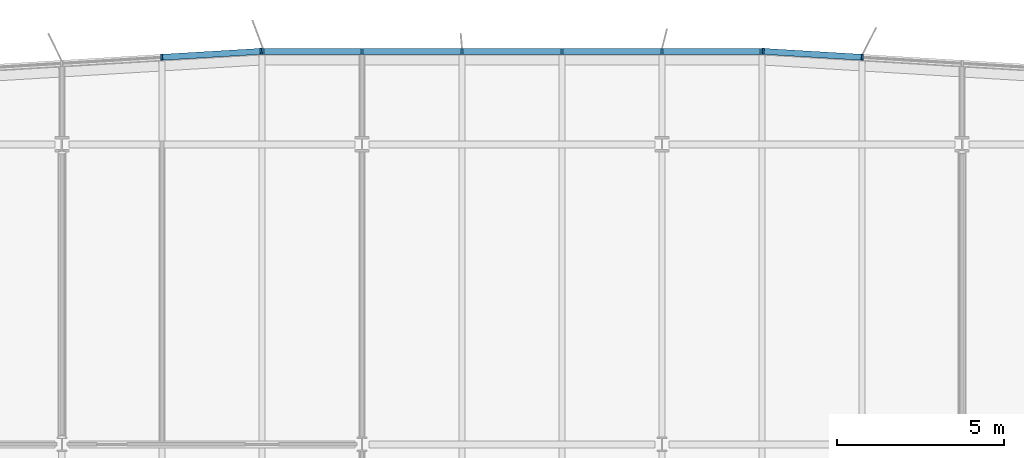
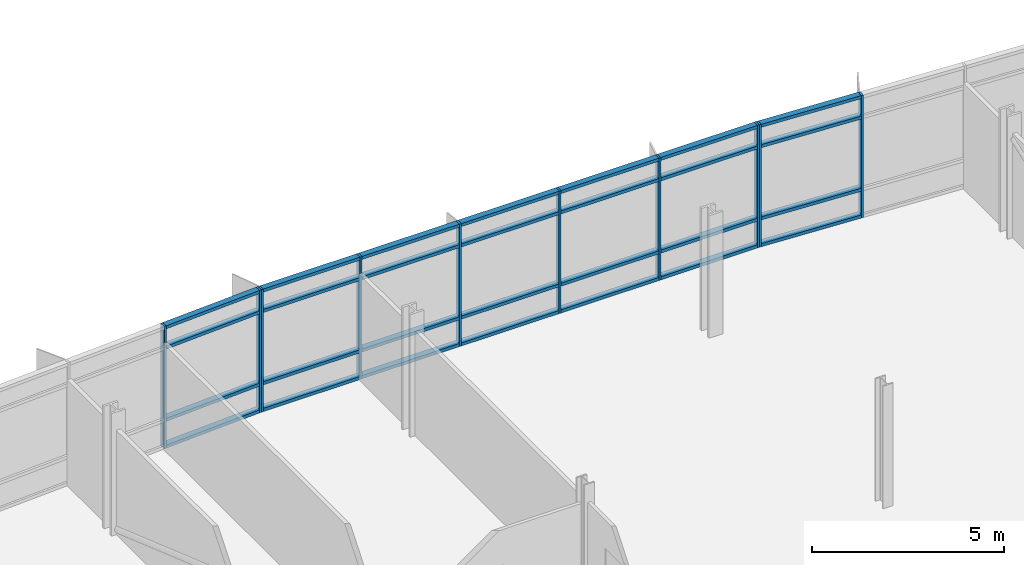
# One storey, part 8 of 20: 38 members, 3 elements without a shape of their own.
"""IFC4 building model written with IfcOpenShell, lengths in metres."""

import ifcopenshell
import ifcopenshell.guid

model = None  # the IFC model being written
_history = None  # IfcOwnerHistory: only IFC2X3 demands one
_inside = {}  # id of a spatial element -> (the spatial element, [elements in it])
_under = {}  # id of a project, library or spatial element -> (it, [spatial elements below it])
_declared = {}  # id of a project -> (the project, [libraries it declares])
_typed = {}  # id of a type object -> (the type object, [elements of that type])
_made_of = {}  # id of a material, layer set ... -> (it, [elements and type objects made of it])


def new_model(schema):
    """Start an empty IFC model of exactly this schema.

    Asked for "IFC4X3", IfcOpenShell would pick the latest addendum, in which some entities
    have other attributes; the version numbers below select the first issue.
    IFC2X3 requires an IfcOwnerHistory on every rooted entity: one is made here for all.
    """
    global model, _history
    if schema == "IFC4X3":
        model = ifcopenshell.file(schema_version=(4, 3, 0, 0))
    else:
        model = ifcopenshell.file(schema=schema)
    _inside.clear()
    _under.clear()
    _declared.clear()
    _typed.clear()
    _made_of.clear()
    _history = None
    if model.schema == "IFC2X3":
        org = make("IfcOrganization", Name="unknown")
        user = make(
            "IfcPersonAndOrganization",
            ThePerson=make("IfcPerson", FamilyName="unknown"),
            TheOrganization=org,
        )
        app = make(
            "IfcApplication",
            ApplicationDeveloper=org,
            Version="unknown",
            ApplicationFullName="unknown",
            ApplicationIdentifier="unknown",
        )
        _history = make(
            "IfcOwnerHistory",
            OwningUser=user,
            OwningApplication=app,
            ChangeAction="ADDED",
            CreationDate=0,
        )
    return model


def make(cls, **values):
    """One entity of the class cls with the attributes given. An attribute that is None is left unset."""
    return model.create_entity(
        cls, **{name: value for name, value in values.items() if value is not None}
    )


def rooted(cls, **values):
    """An entity with a GlobalId (a new one), such as an element, a storey or a relation."""
    return make(cls, GlobalId=ifcopenshell.guid.new(), OwnerHistory=_history, **values)


def si_unit(unit_type, name, prefix=None):
    """IfcSIUnit, for example si_unit("LENGTHUNIT", "METRE", prefix="MILLI")."""
    return make("IfcSIUnit", UnitType=unit_type, Prefix=prefix, Name=name)


def assignment(units):
    """IfcUnitAssignment: the units of a project."""
    return None if units is None else make("IfcUnitAssignment", Units=units)


def point(xyz):
    """IfcCartesianPoint."""
    return None if xyz is None else make("IfcCartesianPoint", Coordinates=xyz)


def direction(xyz):
    """IfcDirection."""
    return None if xyz is None else make("IfcDirection", DirectionRatios=xyz)


def frame(location, z_axis=None, x_axis=None):
    """IfcAxis2Placement3D, a coordinate frame: its origin and axes. An axis left out is left unset."""
    return make(
        "IfcAxis2Placement3D",
        Location=point(location),
        Axis=direction(z_axis),
        RefDirection=direction(x_axis),
    )


def frame_2d(location, x_axis=None):
    """IfcAxis2Placement2D, a coordinate frame in the plane: its origin and x axis."""
    return make(
        "IfcAxis2Placement2D", Location=point(location), RefDirection=direction(x_axis)
    )


def origin():
    """The frame at (0, 0, 0) with its axes left unset."""
    return frame((0.0, 0.0, 0.0))


def origin_2d():
    """The frame at (0, 0) in the plane with its x axis left unset."""
    return frame_2d((0.0, 0.0))


def place(relative_to, where):
    """IfcLocalPlacement: puts the frame where relative to a parent placement (None: the world)."""
    return make(
        "IfcLocalPlacement", PlacementRelTo=relative_to, RelativePlacement=where
    )


def context(
    kind, dimensions, precision=None, world=None, true_north=None, identifier=None
):
    """IfcGeometricRepresentationContext, for example the 3D "Model" context."""
    return make(
        "IfcGeometricRepresentationContext",
        ContextIdentifier=identifier,
        ContextType=kind,
        CoordinateSpaceDimension=dimensions,
        Precision=precision,
        WorldCoordinateSystem=world,
        TrueNorth=true_north,
    )


def subcontext(parent, identifier, kind, view, scale=None):
    """IfcGeometricRepresentationSubContext, for example "Body" below "Model"."""
    return make(
        "IfcGeometricRepresentationSubContext",
        ContextIdentifier=identifier,
        ContextType=kind,
        ParentContext=parent,
        TargetScale=scale,
        TargetView=view,
    )


def project(units=None, contexts=None):
    """IfcProject with its units and contexts."""
    return rooted(
        "IfcProject",
        Name="project",
        RepresentationContexts=contexts,
        UnitsInContext=assignment(units),
    )


def spatial(cls, under=None, at=None, **own):
    """A site, building, storey or space (cls), placed at a placement, below another one or the project."""
    s = rooted(cls, ObjectPlacement=at, **own)
    if under is not None:
        _under.setdefault(under.id(), (under, []))[1].append(s)
    return s


def profile(cls, at=None, kind="AREA", **sizes):
    """A parametric profile (cls). Its sizes go by their IFC names, for example OverallWidth=200.0."""
    return make(cls, ProfileType=kind, Position=at, **sizes)


def rectangle(**sizes):
    """IfcRectangleProfileDef."""
    return profile("IfcRectangleProfileDef", **sizes)


def extrude(swept, where, along, depth):
    """IfcExtrudedAreaSolid: the profile swept, set in the frame where, extruded along a direction by depth."""
    return make(
        "IfcExtrudedAreaSolid",
        SweptArea=swept,
        Position=where,
        ExtrudedDirection=direction(along),
        Depth=depth,
    )


def shape(context_of_items, identifier, shape_type, items):
    """IfcShapeRepresentation: the items that make up one representation, for example the "Body"."""
    return make(
        "IfcShapeRepresentation",
        ContextOfItems=context_of_items,
        RepresentationIdentifier=identifier,
        RepresentationType=shape_type,
        Items=items,
    )


def material(Name=None, Category=None):
    """IfcMaterial."""
    return make("IfcMaterial", Name=Name, Category=Category)


def material_profile(
    of_material, cross_section, Name=None, Category=None, Priority=None
):
    """IfcMaterialProfile: a cross section and its material."""
    return make(
        "IfcMaterialProfile",
        Name=Name,
        Material=of_material,
        Profile=cross_section,
        Priority=Priority,
        Category=Category,
    )


def profile_set(profiles, Name=None, composite=None):
    """IfcMaterialProfileSet."""
    return make(
        "IfcMaterialProfileSet",
        Name=Name,
        MaterialProfiles=profiles,
        CompositeProfile=composite,
    )


def made_of(thing, what):
    """Note that an element or type object is made of a material, layer set ...; save() writes the relation."""
    if what is not None:
        _made_of.setdefault(what.id(), (what, []))[1].append(thing)
    return thing


def type_object(cls, material=None, **own):
    """A type object (cls), such as IfcWallType, which elements share."""
    return made_of(rooted(cls, **own), material)


def element(
    cls,
    number,
    at=None,
    inside=None,
    cuts=None,
    type_object=None,
    material=None,
    context=None,
    identifier="Body",
    shape_type=None,
    held_by="IfcProductDefinitionShape",
    body=None,
    shapes=None,
    **own,
):
    """One element of the class cls, such as IfcWall. Its Tag is "e" and its number.

    at: its placement. inside: the storey or other place that contains it. cuts: it is an
    opening in that element (IfcRelVoidsElement). A single representation is given by context,
    identifier, shape_type and body (its items); several are given by shapes. held_by: the class
    of the entity that holds the representations. save() writes the other relations.
    """
    e = rooted(cls, Tag="e%d" % number, ObjectPlacement=at, **own)
    if body is not None:
        shapes = [shape(context, identifier, shape_type, body)]
    if shapes is not None:
        e.Representation = make(held_by, Representations=shapes)
    if inside is not None:
        _inside.setdefault(inside.id(), (inside, []))[1].append(e)
    if cuts is not None:
        rooted(
            "IfcRelVoidsElement", RelatingBuildingElement=cuts, RelatedOpeningElement=e
        )
    if type_object is not None:
        _typed.setdefault(type_object.id(), (type_object, []))[1].append(e)
    return made_of(e, material)


def aggregate(whole, parts):
    """IfcRelAggregates: a whole, such as a stair, and the parts it consists of."""
    return rooted("IfcRelAggregates", RelatingObject=whole, RelatedObjects=parts)


def save(model, path):
    """Write the relations noted so far, then the file.

    IfcRelAggregates (storeys below a building ...), IfcRelContainedInSpatialStructure (elements
    in a storey), IfcRelDefinesByType, IfcRelAssociatesMaterial and IfcRelDeclares: one each for
    every whole, place, type object, material and project.
    """
    for whole, parts in _under.values():
        aggregate(whole, parts)
    for where, things in _inside.values():
        rooted(
            "IfcRelContainedInSpatialStructure",
            RelatedElements=things,
            RelatingStructure=where,
        )
    for kind, things in _typed.values():
        rooted("IfcRelDefinesByType", RelatedObjects=things, RelatingType=kind)
    for what, things in _made_of.values():
        rooted("IfcRelAssociatesMaterial", RelatedObjects=things, RelatingMaterial=what)
    for by, libraries in _declared.values():
        rooted("IfcRelDeclares", RelatingContext=by, RelatedDefinitions=libraries)
    model.write(path)


model = new_model("IFC4")

# Units and contexts
model_context = context("Model", 3, precision=1e-05, world=origin(), true_north=direction((0.0, 1.0)))
body_context = subcontext(model_context, "Body", "Model", "MODEL_VIEW")
ifc_project = project(units=[si_unit("LENGTHUNIT", "METRE"), si_unit("AREAUNIT", "SQUARE_METRE"), si_unit("VOLUMEUNIT", "CUBIC_METRE"), si_unit("PLANEANGLEUNIT", "RADIAN"), si_unit("MASSUNIT", "GRAM", prefix="KILO")], contexts=[model_context])

# Site, building, storey
site_placement = place(None, origin())
site = spatial("IfcSite", under=ifc_project, at=site_placement, CompositionType="ELEMENT")
building_placement = place(site_placement, origin())
building = spatial("IfcBuilding", under=site, at=building_placement, Name="Azimuth Sports and Learning Centre", CompositionType="ELEMENT")
storey_placement = place(building_placement, frame((0.0, 0.0, 44.10009765625)))
storey = spatial("IfcBuildingStorey", under=building, at=storey_placement, Name="L09", CompositionType="ELEMENT", Elevation=44.10009765625)

# Curtain wall, members
ifc_material_1 = material(Name="Aluminium and glass", Category="aluminium")
curtain_wall_type = type_object("IfcCurtainWallType", Name="Curtain wall tower north 180", PredefinedType="NOTDEFINED", material=ifc_material_1)
curtain_wall_1_placement = place(storey_placement, origin())
curtain_wall_1 = element("IfcCurtainWall", 1, at=curtain_wall_1_placement, inside=storey, type_object=curtain_wall_type, Name="Curtain wall CW09-007", PredefinedType="NOTDEFINED")
ifc_material_2 = material(Name="Aluminium", Category="aluminium")
ifc_material_profile_1 = material_profile(ifc_material_2, rectangle(XDim=0.179931640625, YDim=0.06005859375, at=origin_2d()), Name="Mullion 60x180")
ifc_profile_set_1 = profile_set([ifc_material_profile_1], Name="Aluminium")
member_type_1 = type_object("IfcMemberType", Name="Mullion 60x180", PredefinedType="MULLION", material=ifc_profile_set_1)
member_1_placement = place(storey_placement, frame((96.00537109375, 119.60986328125, 0.0), z_axis=(0.0, 0.0, 1.0), x_axis=(-0.059891991812, -0.998204863401, 0.0)))
member_1 = element("IfcMember", 2, at=member_1_placement, type_object=member_type_1, Name="CW09-007 mullion 5", PredefinedType="MULLION", context=body_context, shape_type="SweptSolid", body=[
    extrude(rectangle(XDim=0.179931640625, YDim=0.06005859375, at=origin_2d()), origin(), (0.0, 0.0, 1.0), 3.89990234375),
])
member_2_placement = place(storey_placement, frame((93.035400390625, 119.7880859375, 0.0), z_axis=(0.0, 0.0, 1.0), x_axis=(-0.059891991812, -0.998204863401, 0.0)))
member_2 = element("IfcMember", 3, at=member_2_placement, type_object=member_type_1, Name="CW09-007 mullion 6", PredefinedType="MULLION", context=body_context, shape_type="SweptSolid", body=[
    extrude(rectangle(XDim=0.179931640625, YDim=0.06005859375, at=origin_2d()), origin(), (0.0, 0.0, 1.0), 3.89990234375),
])

curtain_wall_2_placement = place(storey_placement, origin())
curtain_wall_2 = element("IfcCurtainWall", 4, at=curtain_wall_2_placement, inside=storey, type_object=curtain_wall_type, Name="Curtain wall CW09-008", PredefinedType="NOTDEFINED")
member_3_placement = place(storey_placement, frame((92.975341796875, 119.7900390625, 0.0), z_axis=(0.0, 0.0, 1.0), x_axis=(0.0, -1.0, 0.0)))
member_3 = element("IfcMember", 5, at=member_3_placement, type_object=member_type_1, Name="CW09-008 mullion 1", PredefinedType="MULLION", context=body_context, shape_type="SweptSolid", body=[
    extrude(rectangle(XDim=0.179931640625, YDim=0.06005859375, at=origin_2d()), origin(), (0.0, 0.0, 1.0), 3.89990234375),
])
member_4_placement = place(storey_placement, frame((90.0, 119.7900390625, 0.0), z_axis=(0.0, 0.0, 1.0), x_axis=(0.0, -1.0, 0.0)))
member_4 = element("IfcMember", 6, at=member_4_placement, type_object=member_type_1, Name="CW09-008 mullion 2", PredefinedType="MULLION", context=body_context, shape_type="SweptSolid", body=[
    extrude(rectangle(XDim=0.179931640625, YDim=0.06005859375, at=origin_2d()), origin(), (0.0, 0.0, 1.0), 3.89990234375),
])
member_5_placement = place(storey_placement, frame((87.0, 119.7900390625, 0.0), z_axis=(0.0, 0.0, 1.0), x_axis=(0.0, -1.0, 0.0)))
member_5 = element("IfcMember", 7, at=member_5_placement, type_object=member_type_1, Name="CW09-008 mullion 3", PredefinedType="MULLION", context=body_context, shape_type="SweptSolid", body=[
    extrude(rectangle(XDim=0.179931640625, YDim=0.06005859375, at=origin_2d()), origin(), (0.0, 0.0, 1.0), 3.89990234375),
])
member_6_placement = place(storey_placement, frame((84.0, 119.7900390625, 0.0), z_axis=(0.0, 0.0, 1.0), x_axis=(0.0, -1.0, 0.0)))
member_6 = element("IfcMember", 8, at=member_6_placement, type_object=member_type_1, Name="CW09-008 mullion 4", PredefinedType="MULLION", context=body_context, shape_type="SweptSolid", body=[
    extrude(rectangle(XDim=0.179931640625, YDim=0.06005859375, at=origin_2d()), origin(), (0.0, 0.0, 1.0), 3.89990234375),
])
member_7_placement = place(storey_placement, frame((81.0, 119.7900390625, 0.0), z_axis=(0.0, 0.0, 1.0), x_axis=(0.0, -1.0, 0.0)))
member_7 = element("IfcMember", 9, at=member_7_placement, type_object=member_type_1, Name="CW09-008 mullion 5", PredefinedType="MULLION", context=body_context, shape_type="SweptSolid", body=[
    extrude(rectangle(XDim=0.179931640625, YDim=0.06005859375, at=origin_2d()), origin(), (0.0, 0.0, 1.0), 3.89990234375),
])
member_8_placement = place(storey_placement, frame((78.030029296875, 119.7900390625, 0.0), z_axis=(0.0, 0.0, 1.0), x_axis=(0.0, -1.0, 0.0)))
member_8 = element("IfcMember", 10, at=member_8_placement, type_object=member_type_1, Name="CW09-008 mullion 6", PredefinedType="MULLION", context=body_context, shape_type="SweptSolid", body=[
    extrude(rectangle(XDim=0.179931640625, YDim=0.06005859375, at=origin_2d()), origin(), (0.0, 0.0, 1.0), 3.89990234375),
])

curtain_wall_3_placement = place(storey_placement, origin())
curtain_wall_3 = element("IfcCurtainWall", 11, at=curtain_wall_3_placement, inside=storey, type_object=curtain_wall_type, Name="Curtain wall CW09-009", PredefinedType="NOTDEFINED")
member_9_placement = place(storey_placement, frame((77.969970703125, 119.788330078125, 0.0), z_axis=(0.0, 0.0, 1.0), x_axis=(0.059891991812, -0.998204863401, 0.0)))
member_9 = element("IfcMember", 12, at=member_9_placement, type_object=member_type_1, Name="CW09-009 mullion 1", PredefinedType="MULLION", context=body_context, shape_type="SweptSolid", body=[
    extrude(rectangle(XDim=0.179931640625, YDim=0.06005859375, at=origin_2d()), origin(), (0.0, 0.0, 1.0), 3.89990234375),
])
member_10_placement = place(storey_placement, frame((74.99462890625, 119.60986328125, 0.0), z_axis=(0.0, 0.0, 1.0), x_axis=(0.059891991812, -0.998204863401, 0.0)))
member_10 = element("IfcMember", 13, at=member_10_placement, type_object=member_type_1, Name="CW09-009 mullion 2", PredefinedType="MULLION", context=body_context, shape_type="SweptSolid", body=[
    extrude(rectangle(XDim=0.179931640625, YDim=0.06005859375, at=origin_2d()), origin(), (0.0, 0.0, 1.0), 3.89990234375),
])

# Member
ifc_material_3 = material(Name="Aluminium", Category="aluminium")
ifc_material_profile_2 = material_profile(ifc_material_3, rectangle(XDim=0.179931640625, YDim=0.10009765625, at=origin_2d()), Name="Transom 100x180")
ifc_profile_set_2 = profile_set([ifc_material_profile_2], Name="Aluminium")
member_type_2 = type_object("IfcMemberType", Name="Transom 100x180", PredefinedType="USERDEFINED", material=ifc_profile_set_2)
member_11_placement = place(storey_placement, frame((95.975341796875, 119.611572265625, 0.0498046875), z_axis=(-0.998205846627, 0.059875602377, 0.0), x_axis=(-0.059875602377, -0.998205846627, 0.0)))
member_11 = element("IfcMember", 14, at=member_11_placement, type_object=member_type_2, Name="CW09-007 transom 5.1", ObjectType="TRANSOM", PredefinedType="USERDEFINED", context=body_context, shape_type="SweptSolid", body=[
    extrude(rectangle(XDim=0.179931640625, YDim=0.10009765625, at=origin_2d()), origin(), (0.0, 0.0, 1.0), 2.915283203125),
])

member_12_placement = place(storey_placement, frame((95.975341796875, 119.611572265625, 0.89990234375), z_axis=(-0.998205846627, 0.059875602377, 0.0), x_axis=(-0.059875602377, -0.998205846627, 0.0)))
member_12 = element("IfcMember", 15, at=member_12_placement, type_object=member_type_2, Name="CW09-007 transom 5.2", ObjectType="TRANSOM", PredefinedType="USERDEFINED", context=body_context, shape_type="SweptSolid", body=[
    extrude(rectangle(XDim=0.179931640625, YDim=0.10009765625, at=origin_2d()), origin(), (0.0, 0.0, 1.0), 2.915283203125),
])

member_13_placement = place(storey_placement, frame((95.975341796875, 119.611572265625, 3.199951171875), z_axis=(-0.998205846627, 0.059875602377, 0.0), x_axis=(-0.059875602377, -0.998205846627, 0.0)))
member_13 = element("IfcMember", 16, at=member_13_placement, type_object=member_type_2, Name="CW09-007 transom 5.3", ObjectType="TRANSOM", PredefinedType="USERDEFINED", context=body_context, shape_type="SweptSolid", body=[
    extrude(rectangle(XDim=0.179931640625, YDim=0.10009765625, at=origin_2d()), origin(), (0.0, 0.0, 1.0), 2.915283203125),
])

member_14_placement = place(storey_placement, frame((95.975341796875, 119.611572265625, 3.849853515625), z_axis=(-0.998205846627, 0.059875602377, 0.0), x_axis=(-0.059875602377, -0.998205846627, 0.0)))
member_14 = element("IfcMember", 17, at=member_14_placement, type_object=member_type_2, Name="CW09-007 transom 5.4", ObjectType="TRANSOM", PredefinedType="USERDEFINED", context=body_context, shape_type="SweptSolid", body=[
    extrude(rectangle(XDim=0.179931640625, YDim=0.10009765625, at=origin_2d()), origin(), (0.0, 0.0, 1.0), 2.915283203125),
])

aggregate(curtain_wall_1, [member_1, member_2, member_11, member_12, member_13, member_14])

member_15_placement = place(storey_placement, frame((92.9453125, 119.7900390625, 0.0498046875), z_axis=(-1.0, 0.0, 0.0), x_axis=(0.0, -1.0, 0.0)))
member_15 = element("IfcMember", 18, at=member_15_placement, type_object=member_type_2, Name="CW09-008 transom 1.1", ObjectType="TRANSOM", PredefinedType="USERDEFINED", context=body_context, shape_type="SweptSolid", body=[
    extrude(rectangle(XDim=0.179931640625, YDim=0.10009765625, at=origin_2d()), origin(), (0.0, 0.0, 1.0), 2.915283203125),
])

member_16_placement = place(storey_placement, frame((92.9453125, 119.7900390625, 0.89990234375), z_axis=(-1.0, 0.0, 0.0), x_axis=(0.0, -1.0, 0.0)))
member_16 = element("IfcMember", 19, at=member_16_placement, type_object=member_type_2, Name="CW09-008 transom 1.2", ObjectType="TRANSOM", PredefinedType="USERDEFINED", context=body_context, shape_type="SweptSolid", body=[
    extrude(rectangle(XDim=0.179931640625, YDim=0.10009765625, at=origin_2d()), origin(), (0.0, 0.0, 1.0), 2.915283203125),
])

member_17_placement = place(storey_placement, frame((92.9453125, 119.7900390625, 3.199951171875), z_axis=(-1.0, 0.0, 0.0), x_axis=(0.0, -1.0, 0.0)))
member_17 = element("IfcMember", 20, at=member_17_placement, type_object=member_type_2, Name="CW09-008 transom 1.3", ObjectType="TRANSOM", PredefinedType="USERDEFINED", context=body_context, shape_type="SweptSolid", body=[
    extrude(rectangle(XDim=0.179931640625, YDim=0.10009765625, at=origin_2d()), origin(), (0.0, 0.0, 1.0), 2.915283203125),
])

member_18_placement = place(storey_placement, frame((92.9453125, 119.7900390625, 3.849853515625), z_axis=(-1.0, 0.0, 0.0), x_axis=(0.0, -1.0, 0.0)))
member_18 = element("IfcMember", 21, at=member_18_placement, type_object=member_type_2, Name="CW09-008 transom 1.4", ObjectType="TRANSOM", PredefinedType="USERDEFINED", context=body_context, shape_type="SweptSolid", body=[
    extrude(rectangle(XDim=0.179931640625, YDim=0.10009765625, at=origin_2d()), origin(), (0.0, 0.0, 1.0), 2.915283203125),
])

member_19_placement = place(storey_placement, frame((89.969970703125, 119.7900390625, 0.0498046875), z_axis=(-1.0, 0.0, 0.0), x_axis=(0.0, -1.0, 0.0)))
member_19 = element("IfcMember", 22, at=member_19_placement, type_object=member_type_2, Name="CW09-008 transom 2.1", ObjectType="TRANSOM", PredefinedType="USERDEFINED", context=body_context, shape_type="SweptSolid", body=[
    extrude(rectangle(XDim=0.179931640625, YDim=0.10009765625, at=origin_2d()), origin(), (0.0, 0.0, 1.0), 2.93994140625),
])

member_20_placement = place(storey_placement, frame((89.969970703125, 119.7900390625, 0.89990234375), z_axis=(-1.0, 0.0, 0.0), x_axis=(0.0, -1.0, 0.0)))
member_20 = element("IfcMember", 23, at=member_20_placement, type_object=member_type_2, Name="CW09-008 transom 2.2", ObjectType="TRANSOM", PredefinedType="USERDEFINED", context=body_context, shape_type="SweptSolid", body=[
    extrude(rectangle(XDim=0.179931640625, YDim=0.10009765625, at=origin_2d()), origin(), (0.0, 0.0, 1.0), 2.93994140625),
])

member_21_placement = place(storey_placement, frame((89.969970703125, 119.7900390625, 3.199951171875), z_axis=(-1.0, 0.0, 0.0), x_axis=(0.0, -1.0, 0.0)))
member_21 = element("IfcMember", 24, at=member_21_placement, type_object=member_type_2, Name="CW09-008 transom 2.3", ObjectType="TRANSOM", PredefinedType="USERDEFINED", context=body_context, shape_type="SweptSolid", body=[
    extrude(rectangle(XDim=0.179931640625, YDim=0.10009765625, at=origin_2d()), origin(), (0.0, 0.0, 1.0), 2.93994140625),
])

member_22_placement = place(storey_placement, frame((89.969970703125, 119.7900390625, 3.849853515625), z_axis=(-1.0, 0.0, 0.0), x_axis=(0.0, -1.0, 0.0)))
member_22 = element("IfcMember", 25, at=member_22_placement, type_object=member_type_2, Name="CW09-008 transom 2.4", ObjectType="TRANSOM", PredefinedType="USERDEFINED", context=body_context, shape_type="SweptSolid", body=[
    extrude(rectangle(XDim=0.179931640625, YDim=0.10009765625, at=origin_2d()), origin(), (0.0, 0.0, 1.0), 2.93994140625),
])

member_23_placement = place(storey_placement, frame((86.969970703125, 119.7900390625, 0.0498046875), z_axis=(-1.0, 0.0, 0.0), x_axis=(0.0, -1.0, 0.0)))
member_23 = element("IfcMember", 26, at=member_23_placement, type_object=member_type_2, Name="CW09-008 transom 3.1", ObjectType="TRANSOM", PredefinedType="USERDEFINED", context=body_context, shape_type="SweptSolid", body=[
    extrude(rectangle(XDim=0.179931640625, YDim=0.10009765625, at=origin_2d()), origin(), (0.0, 0.0, 1.0), 2.93994140625),
])

member_24_placement = place(storey_placement, frame((86.969970703125, 119.7900390625, 0.89990234375), z_axis=(-1.0, 0.0, 0.0), x_axis=(0.0, -1.0, 0.0)))
member_24 = element("IfcMember", 27, at=member_24_placement, type_object=member_type_2, Name="CW09-008 transom 3.2", ObjectType="TRANSOM", PredefinedType="USERDEFINED", context=body_context, shape_type="SweptSolid", body=[
    extrude(rectangle(XDim=0.179931640625, YDim=0.10009765625, at=origin_2d()), origin(), (0.0, 0.0, 1.0), 2.93994140625),
])

member_25_placement = place(storey_placement, frame((86.969970703125, 119.7900390625, 3.199951171875), z_axis=(-1.0, 0.0, 0.0), x_axis=(0.0, -1.0, 0.0)))
member_25 = element("IfcMember", 28, at=member_25_placement, type_object=member_type_2, Name="CW09-008 transom 3.3", ObjectType="TRANSOM", PredefinedType="USERDEFINED", context=body_context, shape_type="SweptSolid", body=[
    extrude(rectangle(XDim=0.179931640625, YDim=0.10009765625, at=origin_2d()), origin(), (0.0, 0.0, 1.0), 2.93994140625),
])

member_26_placement = place(storey_placement, frame((86.969970703125, 119.7900390625, 3.849853515625), z_axis=(-1.0, 0.0, 0.0), x_axis=(0.0, -1.0, 0.0)))
member_26 = element("IfcMember", 29, at=member_26_placement, type_object=member_type_2, Name="CW09-008 transom 3.4", ObjectType="TRANSOM", PredefinedType="USERDEFINED", context=body_context, shape_type="SweptSolid", body=[
    extrude(rectangle(XDim=0.179931640625, YDim=0.10009765625, at=origin_2d()), origin(), (0.0, 0.0, 1.0), 2.93994140625),
])

member_27_placement = place(storey_placement, frame((83.969970703125, 119.7900390625, 0.0498046875), z_axis=(-1.0, 0.0, 0.0), x_axis=(0.0, -1.0, 0.0)))
member_27 = element("IfcMember", 30, at=member_27_placement, type_object=member_type_2, Name="CW09-008 transom 4.1", ObjectType="TRANSOM", PredefinedType="USERDEFINED", context=body_context, shape_type="SweptSolid", body=[
    extrude(rectangle(XDim=0.179931640625, YDim=0.10009765625, at=origin_2d()), origin(), (0.0, 0.0, 1.0), 2.93994140625),
])

member_28_placement = place(storey_placement, frame((83.969970703125, 119.7900390625, 0.89990234375), z_axis=(-1.0, 0.0, 0.0), x_axis=(0.0, -1.0, 0.0)))
member_28 = element("IfcMember", 31, at=member_28_placement, type_object=member_type_2, Name="CW09-008 transom 4.2", ObjectType="TRANSOM", PredefinedType="USERDEFINED", context=body_context, shape_type="SweptSolid", body=[
    extrude(rectangle(XDim=0.179931640625, YDim=0.10009765625, at=origin_2d()), origin(), (0.0, 0.0, 1.0), 2.93994140625),
])

member_29_placement = place(storey_placement, frame((83.969970703125, 119.7900390625, 3.199951171875), z_axis=(-1.0, 0.0, 0.0), x_axis=(0.0, -1.0, 0.0)))
member_29 = element("IfcMember", 32, at=member_29_placement, type_object=member_type_2, Name="CW09-008 transom 4.3", ObjectType="TRANSOM", PredefinedType="USERDEFINED", context=body_context, shape_type="SweptSolid", body=[
    extrude(rectangle(XDim=0.179931640625, YDim=0.10009765625, at=origin_2d()), origin(), (0.0, 0.0, 1.0), 2.93994140625),
])

member_30_placement = place(storey_placement, frame((83.969970703125, 119.7900390625, 3.849853515625), z_axis=(-1.0, 0.0, 0.0), x_axis=(0.0, -1.0, 0.0)))
member_30 = element("IfcMember", 33, at=member_30_placement, type_object=member_type_2, Name="CW09-008 transom 4.4", ObjectType="TRANSOM", PredefinedType="USERDEFINED", context=body_context, shape_type="SweptSolid", body=[
    extrude(rectangle(XDim=0.179931640625, YDim=0.10009765625, at=origin_2d()), origin(), (0.0, 0.0, 1.0), 2.93994140625),
])

member_31_placement = place(storey_placement, frame((80.969970703125, 119.7900390625, 0.0498046875), z_axis=(-1.0, 0.0, 0.0), x_axis=(0.0, -1.0, 0.0)))
member_31 = element("IfcMember", 34, at=member_31_placement, type_object=member_type_2, Name="CW09-008 transom 5.1", ObjectType="TRANSOM", PredefinedType="USERDEFINED", context=body_context, shape_type="SweptSolid", body=[
    extrude(rectangle(XDim=0.179931640625, YDim=0.10009765625, at=origin_2d()), origin(), (0.0, 0.0, 1.0), 2.909912109375),
])

member_32_placement = place(storey_placement, frame((80.969970703125, 119.7900390625, 0.89990234375), z_axis=(-1.0, 0.0, 0.0), x_axis=(0.0, -1.0, 0.0)))
member_32 = element("IfcMember", 35, at=member_32_placement, type_object=member_type_2, Name="CW09-008 transom 5.2", ObjectType="TRANSOM", PredefinedType="USERDEFINED", context=body_context, shape_type="SweptSolid", body=[
    extrude(rectangle(XDim=0.179931640625, YDim=0.10009765625, at=origin_2d()), origin(), (0.0, 0.0, 1.0), 2.909912109375),
])

member_33_placement = place(storey_placement, frame((80.969970703125, 119.7900390625, 3.199951171875), z_axis=(-1.0, 0.0, 0.0), x_axis=(0.0, -1.0, 0.0)))
member_33 = element("IfcMember", 36, at=member_33_placement, type_object=member_type_2, Name="CW09-008 transom 5.3", ObjectType="TRANSOM", PredefinedType="USERDEFINED", context=body_context, shape_type="SweptSolid", body=[
    extrude(rectangle(XDim=0.179931640625, YDim=0.10009765625, at=origin_2d()), origin(), (0.0, 0.0, 1.0), 2.909912109375),
])

member_34_placement = place(storey_placement, frame((80.969970703125, 119.7900390625, 3.849853515625), z_axis=(-1.0, 0.0, 0.0), x_axis=(0.0, -1.0, 0.0)))
member_34 = element("IfcMember", 37, at=member_34_placement, type_object=member_type_2, Name="CW09-008 transom 5.4", ObjectType="TRANSOM", PredefinedType="USERDEFINED", context=body_context, shape_type="SweptSolid", body=[
    extrude(rectangle(XDim=0.179931640625, YDim=0.10009765625, at=origin_2d()), origin(), (0.0, 0.0, 1.0), 2.909912109375),
])

aggregate(curtain_wall_2, [member_3, member_4, member_5, member_6, member_7, member_8, member_15, member_16, member_17, member_18, member_19, member_20, member_21, member_22, member_23, member_24, member_25, member_26, member_27, member_28, member_29, member_30, member_31, member_32, member_33, member_34])

member_35_placement = place(storey_placement, frame((77.940185546875, 119.78662109375, 0.0498046875), z_axis=(-0.998202445979, -0.05993226878, 0.0), x_axis=(0.05993226878, -0.998202445979, 0.0)))
member_35 = element("IfcMember", 38, at=member_35_placement, type_object=member_type_2, Name="CW09-009 transom 1.1", ObjectType="TRANSOM", PredefinedType="USERDEFINED", context=body_context, shape_type="SweptSolid", body=[
    extrude(rectangle(XDim=0.179931640625, YDim=0.10009765625, at=origin_2d()), origin(), (0.0, 0.0, 1.0), 2.9208984375),
])

member_36_placement = place(storey_placement, frame((77.940185546875, 119.78662109375, 0.89990234375), z_axis=(-0.998202445979, -0.05993226878, 0.0), x_axis=(0.05993226878, -0.998202445979, 0.0)))
member_36 = element("IfcMember", 39, at=member_36_placement, type_object=member_type_2, Name="CW09-009 transom 1.2", ObjectType="TRANSOM", PredefinedType="USERDEFINED", context=body_context, shape_type="SweptSolid", body=[
    extrude(rectangle(XDim=0.179931640625, YDim=0.10009765625, at=origin_2d()), origin(), (0.0, 0.0, 1.0), 2.9208984375),
])

member_37_placement = place(storey_placement, frame((77.940185546875, 119.78662109375, 3.199951171875), z_axis=(-0.998202445979, -0.05993226878, 0.0), x_axis=(0.05993226878, -0.998202445979, 0.0)))
member_37 = element("IfcMember", 40, at=member_37_placement, type_object=member_type_2, Name="CW09-009 transom 1.3", ObjectType="TRANSOM", PredefinedType="USERDEFINED", context=body_context, shape_type="SweptSolid", body=[
    extrude(rectangle(XDim=0.179931640625, YDim=0.10009765625, at=origin_2d()), origin(), (0.0, 0.0, 1.0), 2.9208984375),
])

member_38_placement = place(storey_placement, frame((77.940185546875, 119.78662109375, 3.849853515625), z_axis=(-0.998202445979, -0.05993226878, 0.0), x_axis=(0.05993226878, -0.998202445979, 0.0)))
member_38 = element("IfcMember", 41, at=member_38_placement, type_object=member_type_2, Name="CW09-009 transom 1.4", ObjectType="TRANSOM", PredefinedType="USERDEFINED", context=body_context, shape_type="SweptSolid", body=[
    extrude(rectangle(XDim=0.179931640625, YDim=0.10009765625, at=origin_2d()), origin(), (0.0, 0.0, 1.0), 2.9208984375),
])

aggregate(curtain_wall_3, [member_9, member_10, member_35, member_36, member_37, member_38])

save(model, "model.ifc")
